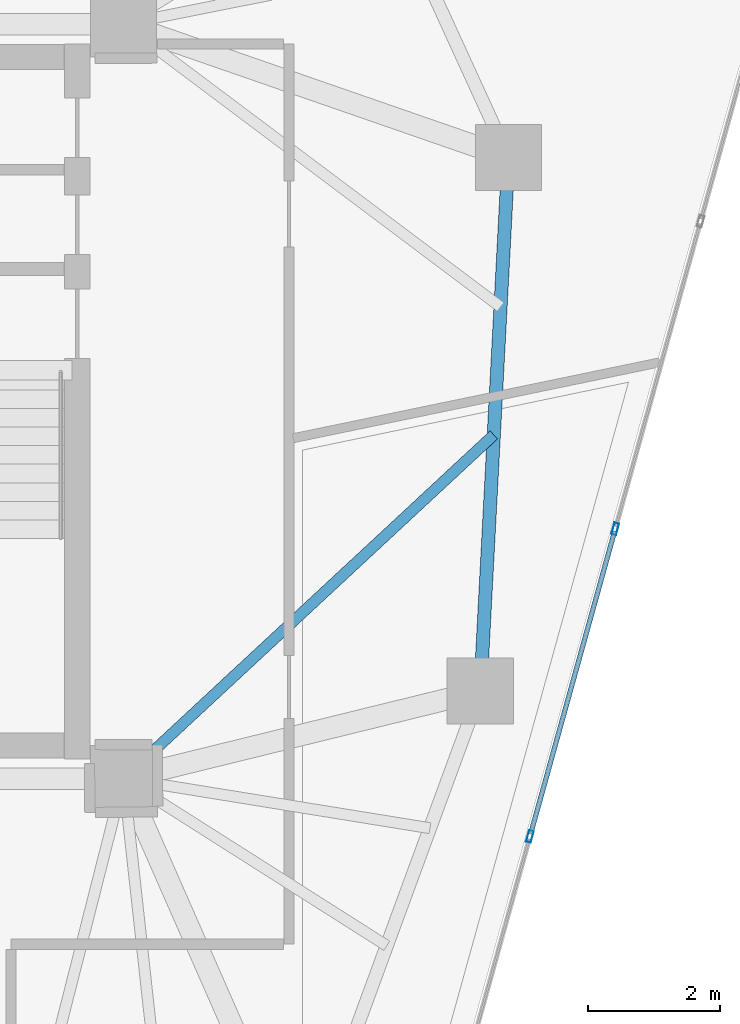
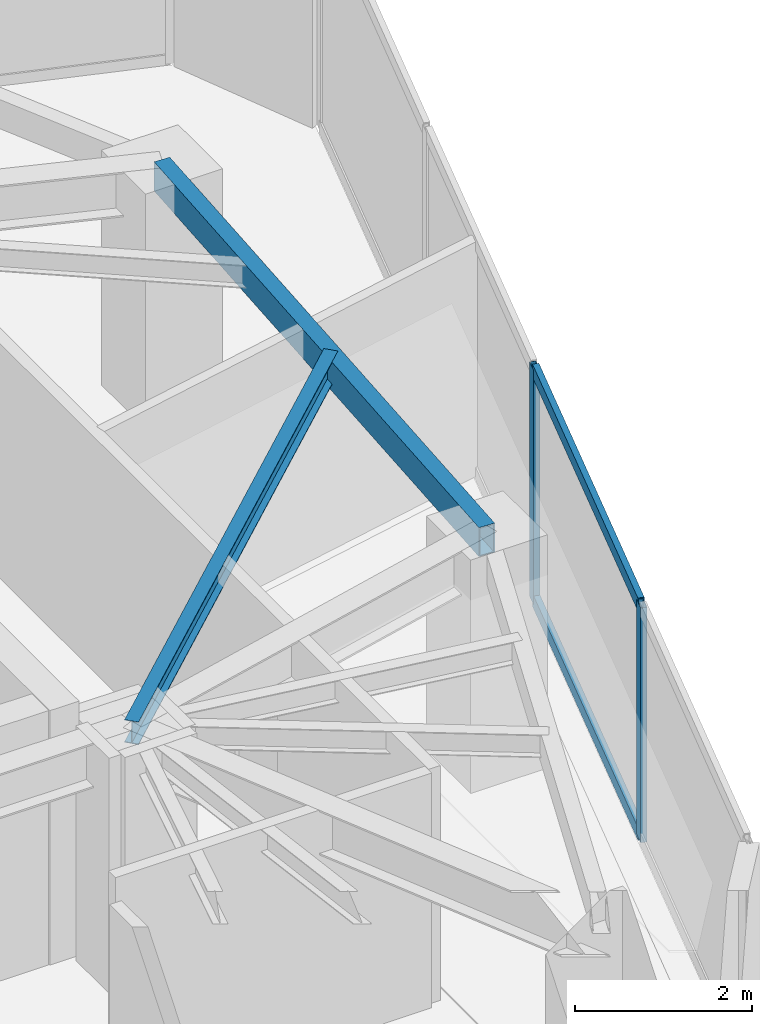
# One storey, part 9 of 19: 4 members, 2 beams, 1 element without a shape of its own.
"""IFC4 building model written with IfcOpenShell, lengths in metres."""

from ifc_helpers import new_model, si_unit, direction, frame, origin, origin_2d, place, context, subcontext, project, spatial, hollow_rectangle, i_section, extrude, source, transform, mapped, material, layer, layer_set, material_profile, profile_set, type_object, type_shapes, element, aggregate, save


model = new_model("IFC4")

# Units and contexts
model_context = context("Model", 3, precision=1e-05, world=origin(), true_north=direction((0.0, 1.0)))
body_context = subcontext(model_context, "Body", "Model", "MODEL_VIEW")
ifc_project = project(units=[si_unit("LENGTHUNIT", "METRE"), si_unit("AREAUNIT", "SQUARE_METRE"), si_unit("VOLUMEUNIT", "CUBIC_METRE"), si_unit("PLANEANGLEUNIT", "RADIAN"), si_unit("MASSUNIT", "GRAM", prefix="KILO")], contexts=[model_context])

# Site, building, storey
site_placement = place(None, origin())
site = spatial("IfcSite", under=ifc_project, at=site_placement, CompositionType="ELEMENT")
building_placement = place(site_placement, origin())
building = spatial("IfcBuilding", under=site, at=building_placement, Name="Talar Marvaseh", CompositionType="ELEMENT")
storey_placement = place(building_placement, frame((0.0, 0.0, 181.0)))
storey = spatial("IfcBuildingStorey", under=building, at=storey_placement, Name="L47", CompositionType="ELEMENT", Elevation=181.0)

# Beams
ifc_material_1 = material(Name="Steel S355", Category="steel")
ifc_material_profile_1 = material_profile(ifc_material_1, hollow_rectangle(XDim=0.199951171875, YDim=0.39990234375, WallThickness=0.013916015625, at=origin_2d()), Name="RHS400x200x14")
ifc_profile_set_1 = profile_set([ifc_material_profile_1], Name="Steel S355")
beam_type_1 = type_object("IfcBeamType", Name="Zone 3 Perimeter Spandrel Beam RHS400x200x14", PredefinedType="SPANDREL", material=ifc_profile_set_1)
beam_1_placement = place(storey_placement, frame((39.113037109375, 34.884033203125, 3.030029296875), z_axis=(-0.052541369293, -0.998618748328, 0.0), x_axis=(0.998618748328, -0.052541369293, 0.0)))
element("IfcBeam", 1, at=beam_1_placement, inside=storey, type_object=beam_type_1, Name="L47 Zone 3 Perimeter Spandrel Beam RHS400x200x14", PredefinedType="SPANDREL", context=body_context, shape_type="SweptSolid", body=[
    extrude(hollow_rectangle(XDim=0.199951171875, YDim=0.39990234375, WallThickness=0.013916015625, at=origin_2d()), origin(), (0.0, 0.0, 1.0), 8.0712890625),
])
ifc_material_profile_2 = material_profile(ifc_material_1, i_section(OverallWidth=0.166015625, OverallDepth=0.31298828125, WebThickness=0.006591796875, FlangeThickness=0.01123046875, at=origin_2d()), Name="W310x45")
ifc_profile_set_2 = profile_set([ifc_material_profile_2], Name="Steel S355")
beam_type_2 = type_object("IfcBeamType", Name="Zone 3 Secondary Floor Joist W310x45", PredefinedType="JOIST", material=ifc_profile_set_2)
beam_2_placement = place(storey_placement, frame((38.892578125, 30.69287109375, 3.073486328125), z_axis=(-0.73280602476, -0.680437601897, 0.0), x_axis=(0.680437601897, -0.73280602476, 0.0)))
element("IfcBeam", 2, at=beam_2_placement, inside=storey, type_object=beam_type_2, Name="L47 Zone 3 Secondary Floor Joist W310x45", PredefinedType="JOIST", context=body_context, shape_type="SweptSolid", body=[
    extrude(i_section(OverallWidth=0.166015625, OverallDepth=0.31298828125, WebThickness=0.006591796875, FlangeThickness=0.01123046875, at=origin_2d()), origin(), (0.0, 0.0, 1.0), 7.631591796875),
])

# Curtain wall, members
ifc_material_2 = material(Name="Architectural Aluminium", Category="aluminium")
ifc_layer = layer(ifc_material_2, 0.18994140625)
ifc_layer_set = layer_set([ifc_layer], Name="Architectural Aluminium")
curtain_wall_type = type_object("IfcCurtainWallType", Name="Unitised Solar Atelier Curtain Wall Z3", PredefinedType="NOTDEFINED", material=ifc_layer_set)
curtain_wall_placement = place(storey_placement, origin())
curtain_wall = element("IfcCurtainWall", 3, at=curtain_wall_placement, inside=storey, type_object=curtain_wall_type, Name="L47 Unitised Solar Atelier Curtain Wall Z3", PredefinedType="NOTDEFINED")
ifc_material_profile_3 = material_profile(ifc_material_2, hollow_rectangle(XDim=0.074951171875, YDim=0.179931640625, WallThickness=0.0048828125, at=origin_2d()), Name="RHS180x75x5")
ifc_profile_set_3 = profile_set([ifc_material_profile_3], Name="Architectural Aluminium")
member_type_1 = type_object("IfcMemberType", Name="Unitised Curtain Wall Standard Mullion RHS180x75x5", PredefinedType="MULLION", material=ifc_profile_set_3)
shared_shape_1 = source(origin(), body_context, "Body", "SweptSolid", [
    extrude(hollow_rectangle(XDim=0.074951171875, YDim=0.179931640625, WallThickness=0.0048828125, at=origin_2d()), origin(), (0.0, 0.0, 1.0), 3.22998046875),
])
type_shapes(member_type_1, [shared_shape_1])
member_1_placement = place(storey_placement, frame((40.7275390625, 29.2734375, 0.0), z_axis=(0.0, 0.0, 1.0), x_axis=(0.963589403746, -0.267386351536, 0.0)))
member_1 = element("IfcMember", 4, at=member_1_placement, type_object=member_type_1, Name="CW-Z3 mullion 3", PredefinedType="MULLION", context=body_context, shape_type="MappedRepresentation", body=[
    mapped(shared_shape_1, transform((0.0, 0.0, 0.0), x_axis=(1.0, 0.0, 0.0), y_axis=(0.0, 1.0, 0.0), z_axis=(0.0, 0.0, 1.0), scale=1.0)),
])
member_2_placement = place(storey_placement, frame((39.438232421875, 24.626953125, 0.0), z_axis=(0.0, 0.0, 1.0), x_axis=(0.963589403746, -0.267386351536, 0.0)))
member_2 = element("IfcMember", 5, at=member_2_placement, type_object=member_type_1, Name="CW-Z3 mullion 4", PredefinedType="MULLION", context=body_context, shape_type="MappedRepresentation", body=[
    mapped(shared_shape_1, transform((0.0, 0.0, 0.0), x_axis=(1.0, 0.0, 0.0), y_axis=(0.0, 1.0, 0.0), z_axis=(0.0, 0.0, 1.0), scale=1.0)),
])
ifc_material_profile_4 = material_profile(ifc_material_2, hollow_rectangle(XDim=0.074951171875, YDim=0.179931640625, WallThickness=0.0048828125, at=origin_2d()), Name="RHS180x75x5")
ifc_profile_set_4 = profile_set([ifc_material_profile_4], Name="Architectural Aluminium")
member_type_2 = type_object("IfcMemberType", Name="Unitised Curtain Wall Transom RHS180x75x5", PredefinedType="USERDEFINED", material=ifc_profile_set_4)
shared_shape_2 = source(origin(), body_context, "Body", "SweptSolid", [
    extrude(hollow_rectangle(XDim=0.074951171875, YDim=0.179931640625, WallThickness=0.0048828125, at=origin_2d()), origin(), (0.0, 0.0, 1.0), 4.7470703125),
])
type_shapes(member_type_2, [shared_shape_2])
member_3_placement = place(storey_placement, frame((40.717529296875, 29.2373046875, 0.03759765625), z_axis=(-0.267383904778, -0.963590082694, 0.0), x_axis=(0.963590082694, -0.267383904778, 0.0)))
member_3 = element("IfcMember", 6, at=member_3_placement, type_object=member_type_2, Name="CW-Z3 transom 3.1", ObjectType="TRANSOM", PredefinedType="USERDEFINED", context=body_context, shape_type="MappedRepresentation", body=[
    mapped(shared_shape_2, transform((0.0, 0.0, 0.0), x_axis=(1.0, 0.0, 0.0), y_axis=(0.0, 1.0, 0.0), z_axis=(0.0, 0.0, 1.0), scale=1.0)),
])
member_4_placement = place(storey_placement, frame((40.717529296875, 29.2373046875, 3.1923828125), z_axis=(-0.267383904778, -0.963590082694, 0.0), x_axis=(0.963590082694, -0.267383904778, 0.0)))
member_4 = element("IfcMember", 7, at=member_4_placement, type_object=member_type_2, Name="CW-Z3 transom 3.2", ObjectType="TRANSOM", PredefinedType="USERDEFINED", context=body_context, shape_type="MappedRepresentation", body=[
    mapped(shared_shape_2, transform((0.0, 0.0, 0.0), x_axis=(1.0, 0.0, 0.0), y_axis=(0.0, 1.0, 0.0), z_axis=(0.0, 0.0, 1.0), scale=1.0)),
])
aggregate(curtain_wall, [member_1, member_2, member_3, member_4])

save(model, "model.ifc")
